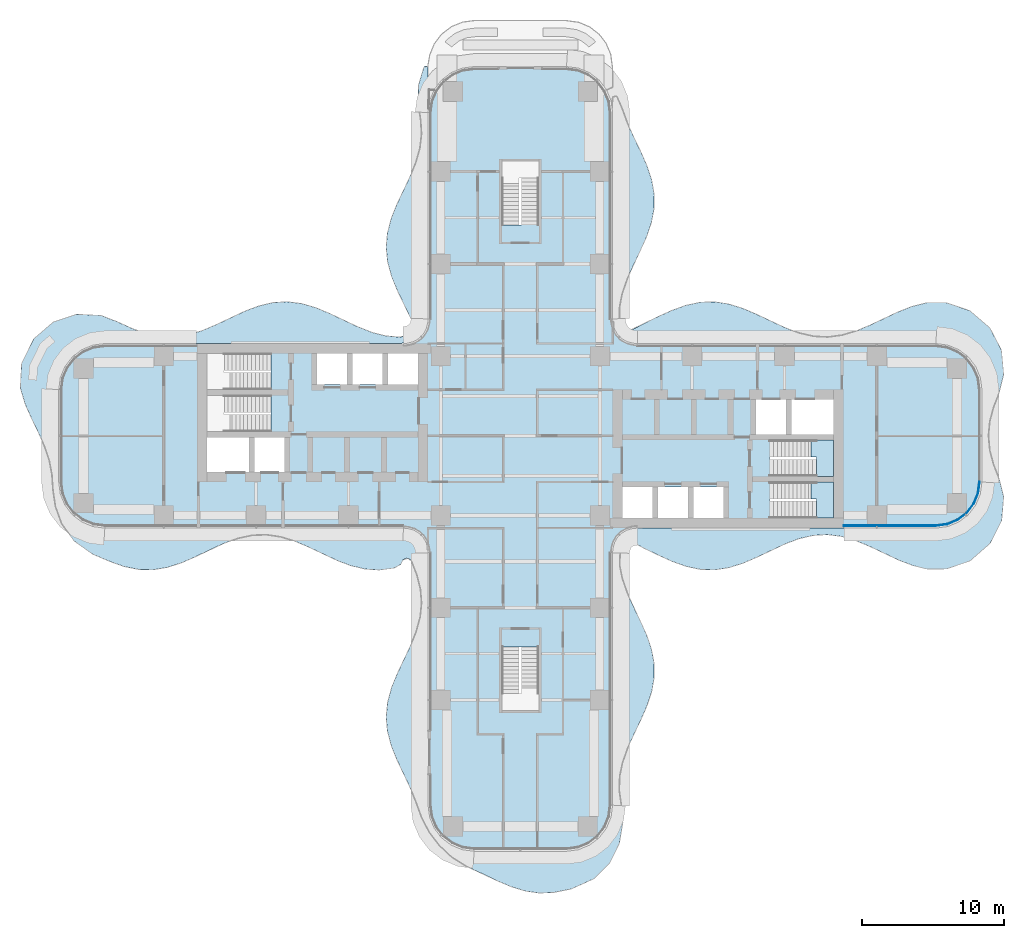
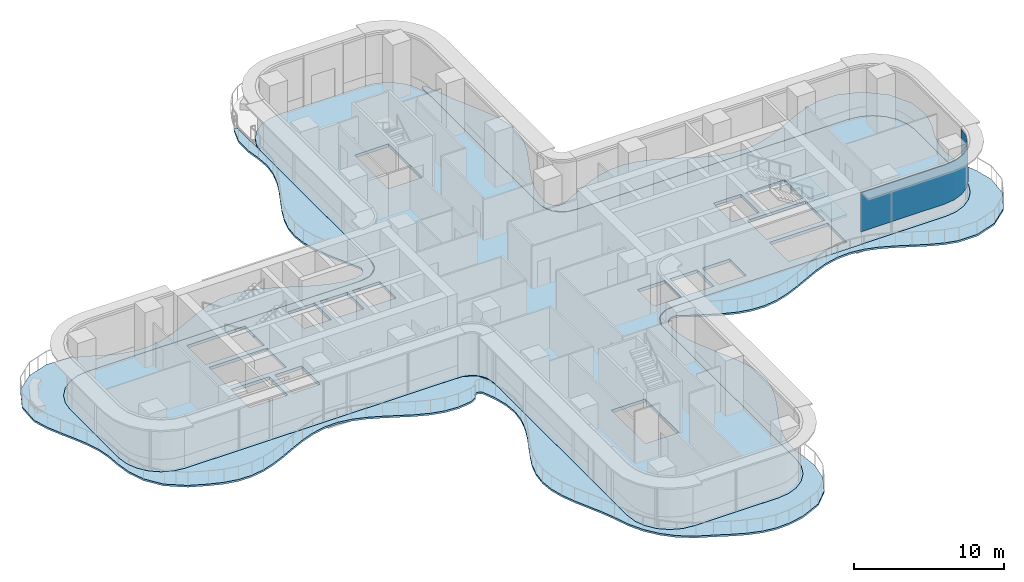
# One storey, part 15 of 22: 4 slabs, 1 plate, 3 elements without a shape of their own.
"""IFC4 building model written with IfcOpenShell, lengths in metres."""

from ifc_helpers import new_model, si_unit, direction, frame, origin, place, context, subcontext, project, spatial, polyline, outline, extrude, source, transform, mapped, material, layer, layer_set, type_object, element, aggregate, save


model = new_model("IFC4")

# Units and contexts
model_context = context("Model", 3, precision=1e-05, world=origin(), true_north=direction((0.0, 1.0)))
body_context = subcontext(model_context, "Body", "Model", "MODEL_VIEW")
ifc_project = project(units=[si_unit("LENGTHUNIT", "METRE"), si_unit("AREAUNIT", "SQUARE_METRE"), si_unit("VOLUMEUNIT", "CUBIC_METRE"), si_unit("PLANEANGLEUNIT", "RADIAN"), si_unit("MASSUNIT", "GRAM", prefix="KILO")], contexts=[model_context])

# Site, building, storey
site_placement = place(None, origin())
site = spatial("IfcSite", under=ifc_project, at=site_placement, CompositionType="ELEMENT")
building_placement = place(site_placement, origin())
building = spatial("IfcBuilding", under=site, at=building_placement, Name="Trellis Farm Tower", CompositionType="ELEMENT")
storey_placement = place(building_placement, frame((0.0, 0.0, 61.0)))
storey = spatial("IfcBuildingStorey", under=building, at=storey_placement, Name="L12", CompositionType="ELEMENT", Elevation=61.0)

# Slabs
ifc_material_1 = material(Name="Concrete C40/50", Category="concrete")
ifc_layer_1 = layer(ifc_material_1, 0.14990234375)
ifc_layer_set_1 = layer_set([ifc_layer_1], Name="Balcony slab 150")
slab_type_1 = type_object("IfcSlabType", Name="Balcony slab 150", PredefinedType="FLOOR", material=ifc_layer_set_1)
slab_1_placement = place(storey_placement, frame((0.0, 0.0, -0.14990234375)))
element("IfcSlab", 1, at=slab_1_placement, inside=storey, type_object=slab_type_1, Name="Balcony slab", PredefinedType="FLOOR", context=body_context, shape_type="SweptSolid", body=[
    extrude(outline(polyline([(-32.732177734375, -4.966796875), (-32.90234375, -3.81884765625), (-32.90380859375, -3.806884765625), (-32.976806640625, -2.736083984375), (-32.977783203125, -2.727294921875), (-33.16259765625, -1.735595703125), (-33.165283203125, -1.72509765625), (-33.49755859375, -0.74609375), (-33.5, -0.73974609375), (-33.93115234375, 0.2333984375), (-33.93212890625, 0.235595703125), (-34.413330078125, 1.23291015625), (-34.4150390625, 1.236328125), (-34.855712890625, 2.2138671875), (-34.862548828125, 2.232666015625), (-35.19775390625, 3.35498046875), (-35.203125, 3.380859375), (-35.206787109375, 3.414306640625), (-35.207763671875, 3.4404296875), (-35.111572265625, 5.072998046875), (-35.106689453125, 5.10302734375), (-35.0966796875, 5.140869140625), (-35.0859375, 5.169189453125), (-34.263671875, 6.8154296875), (-34.24755859375, 6.8408203125), (-34.2236328125, 6.871337890625), (-34.202880859375, 6.89306640625), (-32.933837890625, 7.97607421875), (-32.910400390625, 7.992431640625), (-32.8779296875, 8.0107421875), (-32.851806640625, 8.0224609375), (-31.298095703125, 8.54443359375), (-31.271484375, 8.55078125), (-31.23681640625, 8.5556640625), (-31.208740234375, 8.55712890625), (-29.5576171875, 8.482421875), (-29.510498046875, 8.472412109375), (-28.38671875, 8.039794921875), (-28.37841796875, 8.0361328125), (-27.3701171875, 7.576416015625), (-27.36474609375, 7.57421875), (-26.410400390625, 7.2255859375), (-26.400634765625, 7.222900390625), (-25.3623046875, 6.997802734375), (-25.348876953125, 6.99609375), (-24.3642578125, 6.96240234375), (-24.3505859375, 6.96337890625), (-23.3720703125, 7.109130859375), (-23.36083984375, 7.11181640625), (-22.382080078125, 7.4150390625), (-22.375, 7.417724609375), (-21.392333984375, 7.83642578125), (-21.389892578125, 7.837646484375), (-19.415283203125, 8.769287109375), (-19.404296875, 8.773681640625), (-18.4267578125, 9.143798828125), (-18.408203125, 9.149658203125), (-17.437255859375, 9.380859375), (-17.411865234375, 9.384521484375), (-16.443115234375, 9.4453125), (-16.415283203125, 9.4443359375), (-15.41455078125, 9.319580078125), (-15.390869140625, 9.314697265625), (-14.41796875, 9.029052734375), (-14.402587890625, 9.023681640625), (-13.421142578125, 8.615234375), (-13.41455078125, 8.6123046875), (-11.440673828125, 7.67822265625), (-11.435791015625, 7.676025390625), (-10.4140625, 7.279541015625), (-10.405517578125, 7.276611328125), (-9.46826171875, 7.038818359375), (-9.456298828125, 7.036865234375), (-8.512939453125, 6.956298828125), (-8.498779296875, 6.956298828125), (-8.385986328125, 6.968017578125), (-8.37255859375, 6.970703125), (-7.859619140625, 7.121337890625), (-7.84375, 7.1279296875), (-7.728759765625, 7.19287109375), (-7.7041015625, 7.21533203125), (-7.62939453125, 7.323974609375), (-7.621337890625, 7.3388671875), (-7.520751953125, 7.593505859375), (-7.5166015625, 7.608154296875), (-7.49609375, 7.7255859375), (-7.497314453125, 7.755859375), (-7.525146484375, 7.871337890625), (-7.530517578125, 7.88623046875), (-8.67578125, 10.26318359375), (-8.679931640625, 10.2724609375), (-9.07373046875, 11.251708984375), (-9.079345703125, 11.268310546875), (-9.343505859375, 12.240478515625), (-9.34814453125, 12.26513671875), (-9.447021484375, 13.265869140625), (-9.447265625, 13.293701171875), (-9.361083984375, 14.262451171875), (-9.35693359375, 14.287109375), (-9.103515625, 15.2587890625), (-9.097900390625, 15.27587890625), (-8.71142578125, 16.255126953125), (-8.70751953125, 16.264404296875), (-7.772705078125, 18.238525390625), (-7.771240234375, 18.2421875), (-7.36572265625, 19.223876953125), (-7.363037109375, 19.23193359375), (-7.06884765625, 20.264892578125), (-7.066650390625, 20.277099609375), (-6.954833984375, 21.265625), (-6.95458984375, 21.279052734375), (-7.0205078125, 22.249267578125), (-7.021240234375, 22.255615234375), (-7.188232421875, 23.3310546875), (-7.190185546875, 23.35546875), (-7.177734375, 24.65283203125), (-7.17138671875, 24.69482421875), (-6.79345703125, 25.940185546875), (-6.730224609375, 26.0234375), (-6.6279296875, 26.045166015625), (-6.536376953125, 25.99462890625), (-6.5, 25.896728515625), (-6.5, 22.754638671875), (-6.50048828125, 22.75), (-6.50048828125, 8.313720703125), (-6.50439453125, 8.282470703125), (-6.724365234375, 7.396484375), (-6.7412109375, 7.355712890625), (-6.768798828125, 7.309814453125), (-6.7958984375, 7.276123046875), (-7.408935546875, 6.71240234375), (-7.444580078125, 6.68798828125), (-7.4931640625, 6.664306640625), (-7.5341796875, 6.651123046875), (-8.409912109375, 6.50439453125), (-8.434814453125, 6.50244140625), (-23.109619140625, 6.50048828125), (-29.25, 6.50048828125), (-30.09130859375, 6.389892578125), (-30.875244140625, 6.065185546875), (-31.548583984375, 5.548583984375), (-32.065185546875, 4.875244140625), (-32.389892578125, 4.09130859375), (-32.50048828125, 3.25), (-32.50048828125, -3.25), (-32.389892578125, -4.09130859375), (-32.065185546875, -4.875244140625), (-31.548583984375, -5.548583984375), (-30.875244140625, -6.065185546875), (-30.09130859375, -6.389892578125), (-29.25, -6.50048828125), (-8.893798828125, -6.50048828125), (-7.973388671875, -6.525390625), (-7.94189453125, -6.52978515625), (-7.90234375, -6.539306640625), (-7.872314453125, -6.550048828125), (-7.106689453125, -6.919921875), (-7.0693359375, -6.94580078125), (-7.0283203125, -6.984130859375), (-7.00048828125, -7.019775390625), (-6.58544921875, -7.75439453125), (-6.572265625, -7.785888671875), (-6.559814453125, -7.827880859375), (-6.55419921875, -7.861572265625), (-6.50048828125, -8.785888671875), (-6.50048828125, -26.0), (-6.389892578125, -26.84130859375), (-6.065185546875, -27.625244140625), (-5.548583984375, -28.298583984375), (-4.875244140625, -28.815185546875), (-4.09130859375, -29.139892578125), (-3.25, -29.25048828125), (3.25, -29.25048828125), (4.09130859375, -29.139892578125), (4.875244140625, -28.815185546875), (5.548583984375, -28.298583984375), (6.065185546875, -27.625244140625), (6.389892578125, -26.84130859375), (6.50048828125, -26.0), (6.50048828125, -8.989501953125), (6.511962890625, -8.083984375), (6.514892578125, -8.057373046875), (6.521484375, -8.023193359375), (6.52880859375, -7.997314453125), (6.840087890625, -7.19580078125), (6.863525390625, -7.155517578125), (6.899658203125, -7.111083984375), (6.934326171875, -7.079833984375), (7.63720703125, -6.621826171875), (7.670166015625, -6.605712890625), (7.714111328125, -6.590576171875), (7.749755859375, -6.5830078125), (8.677490234375, -6.50048828125), (29.25, -6.50048828125), (30.09130859375, -6.389892578125), (30.875244140625, -6.065185546875), (31.548583984375, -5.548583984375), (32.065185546875, -4.875244140625), (32.389892578125, -4.09130859375), (32.50048828125, -3.25), (32.50048828125, 3.25), (32.389892578125, 4.09130859375), (32.065185546875, 4.875244140625), (31.548583984375, 5.548583984375), (30.875244140625, 6.065185546875), (30.09130859375, 6.389892578125), (29.25, 6.50048828125), (8.677490234375, 6.50048828125), (7.749755859375, 6.5830078125), (7.714111328125, 6.590576171875), (7.670166015625, 6.605712890625), (7.63720703125, 6.621826171875), (6.934326171875, 7.079833984375), (6.899658203125, 7.111083984375), (6.863525390625, 7.155517578125), (6.840087890625, 7.19580078125), (6.52880859375, 7.997314453125), (6.521484375, 8.023193359375), (6.514892578125, 8.057373046875), (6.511962890625, 8.083984375), (6.50048828125, 8.989501953125), (6.50048828125, 22.75), (6.5, 22.754638671875), (6.5, 23.859619140625), (6.557861328125, 23.977783203125), (6.686767578125, 24.0048828125), (6.787353515625, 23.919921875), (7.15380859375, 23.083984375), (7.157470703125, 23.0751953125), (7.5546875, 21.98779296875), (7.556884765625, 21.982666015625), (8.00341796875, 20.997314453125), (8.004150390625, 20.99560546875), (8.48291015625, 20.002685546875), (8.4853515625, 19.998046875), (8.921875, 19.0048828125), (8.927001953125, 18.99169921875), (9.252685546875, 18.007080078125), (9.25830078125, 17.985595703125), (9.427490234375, 17.009765625), (9.4296875, 16.982666015625), (9.42041015625, 16.012939453125), (9.417724609375, 15.986328125), (9.23291015625, 15.0166015625), (9.2275390625, 14.99609375), (8.892578125, 14.02001953125), (8.8876953125, 14.0078125), (8.451171875, 13.028564453125), (8.44921875, 13.0244140625), (7.970458984375, 12.0322265625), (7.969482421875, 12.030517578125), (7.528564453125, 11.046875), (7.52587890625, 11.04052734375), (7.171630859375, 10.013427734375), (7.1689453125, 10.00341796875), (6.988037109375, 9.07470703125), (6.98681640625, 9.061279296875), (6.976806640625, 8.216064453125), (6.97998046875, 8.193359375), (7.03369140625, 8.017578125), (7.043212890625, 7.997314453125), (7.2607421875, 7.67626953125), (7.2724609375, 7.66259765625), (7.376220703125, 7.56884765625), (7.4072265625, 7.552001953125), (7.542724609375, 7.51708984375), (7.560546875, 7.514892578125), (7.868408203125, 7.51123046875), (7.887451171875, 7.513427734375), (8.0419921875, 7.552490234375), (8.06005859375, 7.5595703125), (8.677001953125, 7.900390625), (8.684326171875, 7.904052734375), (9.670166015625, 8.37939453125), (9.673095703125, 8.380859375), (10.658447265625, 8.82958984375), (10.669677734375, 8.833984375), (11.646484375, 9.187255859375), (11.666259765625, 9.19287109375), (12.636474609375, 9.401123046875), (12.66259765625, 9.404296875), (13.631591796875, 9.439208984375), (13.6591796875, 9.437744140625), (14.6337890625, 9.29345703125), (14.656494140625, 9.2880859375), (15.6396484375, 8.982421875), (15.654296875, 8.97705078125), (16.653564453125, 8.54931640625), (16.658447265625, 8.547119140625), (18.632080078125, 7.6171875), (18.6376953125, 7.61474609375), (19.61767578125, 7.247314453125), (19.627197265625, 7.244384765625), (20.664794921875, 7.00732421875), (20.677734375, 7.005615234375), (21.6630859375, 6.958984375), (21.6767578125, 6.95947265625), (22.65576171875, 7.093017578125), (22.6669921875, 7.095458984375), (23.6455078125, 7.388916015625), (23.653076171875, 7.391357421875), (24.63525390625, 7.8037109375), (24.63818359375, 7.804931640625), (26.612548828125, 8.738525390625), (26.622802734375, 8.742919921875), (27.62158203125, 9.127685546875), (27.64013671875, 9.133544921875), (28.62109375, 9.37158203125), (28.656494140625, 9.3759765625), (29.94287109375, 9.376220703125), (29.990478515625, 9.368408203125), (31.604736328125, 8.8291015625), (31.631591796875, 8.8173828125), (31.663330078125, 8.799072265625), (31.686767578125, 8.78271484375), (33.0166015625, 7.642333984375), (33.03662109375, 7.62158203125), (33.059814453125, 7.59228515625), (33.0751953125, 7.568359375), (33.861083984375, 6.0537109375), (33.871826171875, 6.02685546875), (33.882080078125, 5.991455078125), (33.8876953125, 5.962158203125), (34.0302734375, 4.332763671875), (34.0263671875, 4.283203125), (33.708740234375, 3.02197265625), (33.702880859375, 3.00390625), (33.31591796875, 2.016845703125), (33.313232421875, 2.0087890625), (33.0517578125, 1.03125), (33.049560546875, 1.01904296875), (32.95361328125, 0.03955078125), (32.95361328125, 0.025390625), (33.049560546875, -1.018798828125), (33.0517578125, -1.031494140625), (33.313232421875, -2.0087890625), (33.31591796875, -2.016845703125), (33.702880859375, -3.00390625), (33.708740234375, -3.02197265625), (34.0263671875, -4.283203125), (34.0302734375, -4.332763671875), (33.8876953125, -5.962158203125), (33.882080078125, -5.991455078125), (33.871826171875, -6.02685546875), (33.861083984375, -6.0537109375), (33.0751953125, -7.568359375), (33.059814453125, -7.59228515625), (33.03662109375, -7.62158203125), (33.0166015625, -7.642333984375), (31.686767578125, -8.78271484375), (31.663330078125, -8.799072265625), (31.63134765625, -8.8173828125), (31.605224609375, -8.8291015625), (30.04638671875, -9.35888671875), (29.99853515625, -9.366943359375), (28.614990234375, -9.37060546875), (28.578369140625, -9.3662109375), (27.618896484375, -9.126708984375), (27.601318359375, -9.12109375), (26.6337890625, -8.74755859375), (26.623779296875, -8.743408203125), (24.63818359375, -7.80517578125), (24.63525390625, -7.8037109375), (23.61767578125, -7.37890625), (23.60986328125, -7.376220703125), (22.61328125, -7.083984375), (22.6015625, -7.08154296875), (21.6123046875, -6.956787109375), (21.5986328125, -6.956298828125), (20.61767578125, -7.013916015625), (20.60498046875, -7.015869140625), (19.626953125, -7.244384765625), (19.61767578125, -7.247314453125), (18.6376953125, -7.61474609375), (18.632080078125, -7.6171875), (16.658447265625, -8.547119140625), (16.653564453125, -8.54931640625), (15.670654296875, -8.970947265625), (15.656494140625, -8.976318359375), (14.682373046875, -9.2822265625), (14.66015625, -9.287353515625), (13.69091796875, -9.435791015625), (13.663818359375, -9.4375), (12.693115234375, -9.407958984375), (12.6669921875, -9.40478515625), (11.689208984375, -9.199462890625), (11.66943359375, -9.193603515625), (10.682861328125, -8.83935546875), (10.67138671875, -8.834716796875), (9.6767578125, -8.382568359375), (9.673583984375, -8.381103515625), (8.684326171875, -7.904052734375), (8.677001953125, -7.900390625), (8.06005859375, -7.5595703125), (8.0419921875, -7.552490234375), (7.887451171875, -7.513427734375), (7.868408203125, -7.51123046875), (7.560546875, -7.514892578125), (7.542724609375, -7.51708984375), (7.4072265625, -7.552001953125), (7.376220703125, -7.56884765625), (7.2724609375, -7.66259765625), (7.2607421875, -7.67626953125), (7.043212890625, -7.997314453125), (7.03369140625, -8.017578125), (6.97998046875, -8.193359375), (6.976806640625, -8.216064453125), (6.98681640625, -9.061279296875), (6.988037109375, -9.07470703125), (7.1689453125, -10.00341796875), (7.171630859375, -10.013427734375), (7.52587890625, -11.04052734375), (7.528564453125, -11.046875), (7.969482421875, -12.030517578125), (7.970458984375, -12.0322265625), (8.44921875, -13.0244140625), (8.451171875, -13.028564453125), (8.8876953125, -14.0078125), (8.892578125, -14.02001953125), (9.2275390625, -14.99609375), (9.23291015625, -15.0166015625), (9.417724609375, -15.986083984375), (9.42041015625, -16.01318359375), (9.427001953125, -17.013916015625), (9.4248046875, -17.041259765625), (9.251953125, -18.010498046875), (9.24658203125, -18.03173828125), (8.927001953125, -18.99169921875), (8.921875, -19.0048828125), (8.4853515625, -19.998046875), (8.48291015625, -20.002685546875), (8.004150390625, -20.99560546875), (8.00341796875, -20.997314453125), (7.5576171875, -21.981201171875), (7.55517578125, -21.987060546875), (7.191650390625, -23.01318359375), (7.18896484375, -23.023193359375), (6.99609375, -23.95458984375), (6.99462890625, -23.96728515625), (6.962890625, -24.950927734375), (6.963623046875, -24.964111328125), (7.11767578125, -26.025146484375), (7.11865234375, -26.03369140625), (7.22265625, -27.218017578125), (7.22119140625, -27.2568359375), (6.97607421875, -28.674072265625), (6.962890625, -28.714599609375), (6.320556640625, -30.0244140625), (6.29248046875, -30.063720703125), (5.22412109375, -31.145263671875), (5.203369140625, -31.162841796875), (5.17431640625, -31.18310546875), (5.150390625, -31.19677734375), (3.609375, -31.8935546875), (3.5771484375, -31.90380859375), (2.370849609375, -32.14599609375), (2.347900390625, -32.148681640625), (1.373291015625, -32.19140625), (1.34619140625, -32.190185546875), (0.40380859375, -32.059814453125), (0.381103515625, -32.0546875), (-0.619140625, -31.7529296875), (-0.63427734375, -31.74755859375), (-1.615966796875, -31.33251953125), (-1.622314453125, -31.32958984375), (-2.614990234375, -30.853759765625), (-2.6162109375, -30.853271484375), (-3.73583984375, -30.34326171875), (-3.753173828125, -30.333984375), (-4.823974609375, -29.664306640625), (-4.847412109375, -29.64599609375), (-5.711181640625, -28.8291015625), (-5.7275390625, -28.810791015625), (-6.40869140625, -27.91455078125), (-6.42236328125, -27.89306640625), (-6.950439453125, -26.877685546875), (-6.95849609375, -26.859375), (-7.353515625, -25.76318359375), (-7.354736328125, -25.760009765625), (-7.763427734375, -24.760009765625), (-7.76513671875, -24.756103515625), (-8.70751953125, -22.764404296875), (-8.71142578125, -22.755126953125), (-9.097900390625, -21.77587890625), (-9.103515625, -21.7587890625), (-9.35693359375, -20.787109375), (-9.361083984375, -20.762451171875), (-9.447265625, -19.793701171875), (-9.447021484375, -19.765869140625), (-9.34814453125, -18.76513671875), (-9.343505859375, -18.740478515625), (-9.079345703125, -17.768310546875), (-9.07373046875, -17.751708984375), (-8.6796875, -16.77197265625), (-8.67626953125, -16.763671875), (-7.740966796875, -14.78955078125), (-7.7392578125, -14.78564453125), (-7.3408203125, -13.80419921875), (-7.337890625, -13.7958984375), (-7.0546875, -12.76171875), (-7.052490234375, -12.74951171875), (-6.953857421875, -11.76171875), (-6.95361328125, -11.748046875), (-7.036865234375, -10.767578125), (-7.038818359375, -10.75537109375), (-7.289794921875, -9.77734375), (-7.29248046875, -9.768798828125), (-7.65234375, -8.8466796875), (-7.657470703125, -8.836181640625), (-7.70361328125, -8.757568359375), (-7.7236328125, -8.735107421875), (-7.85498046875, -8.638671875), (-7.89453125, -8.62451171875), (-8.05078125, -8.6162109375), (-8.091552734375, -8.6259765625), (-8.226806640625, -8.70458984375), (-8.255615234375, -8.7353515625), (-8.33154296875, -8.88720703125), (-8.33740234375, -8.903076171875), (-8.351318359375, -8.960205078125), (-8.425537109375, -9.056396484375), (-8.875, -9.2998046875), (-8.900634765625, -9.310546875), (-8.934814453125, -9.321533203125), (-8.96240234375, -9.32763671875), (-9.915283203125, -9.4443359375), (-9.943115234375, -9.4453125), (-10.911865234375, -9.384521484375), (-10.937255859375, -9.380859375), (-11.908203125, -9.149658203125), (-11.926513671875, -9.14404296875), (-12.892578125, -8.77880859375), (-12.903564453125, -8.774169921875), (-14.889892578125, -7.837646484375), (-14.892333984375, -7.83642578125), (-15.875, -7.417724609375), (-15.882080078125, -7.4150390625), (-16.86083984375, -7.11181640625), (-16.8720703125, -7.109130859375), (-17.8505859375, -6.96337890625), (-17.8642578125, -6.96240234375), (-18.84912109375, -6.99609375), (-18.862060546875, -6.997802734375), (-19.855224609375, -7.209716796875), (-19.865234375, -7.21240234375), (-20.864501953125, -7.57421875), (-20.870361328125, -7.576416015625), (-21.87353515625, -8.034423828125), (-21.875, -8.034912109375), (-22.875, -8.5166015625), (-22.88037109375, -8.51904296875), (-23.857177734375, -8.943603515625), (-23.87060546875, -8.948974609375), (-24.845458984375, -9.264892578125), (-24.8671875, -9.27001953125), (-25.83642578125, -9.4306640625), (-25.863525390625, -9.4326171875), (-26.83349609375, -9.416015625), (-26.8603515625, -9.4130859375), (-27.86083984375, -9.21337890625), (-27.88134765625, -9.207763671875), (-28.857421875, -8.864013671875), (-28.86669921875, -8.8603515625), (-30.111328125, -8.327392578125), (-30.1396484375, -8.3115234375), (-31.40771484375, -7.40283203125), (-31.441650390625, -7.369140625), (-32.27099609375, -6.228515625), (-32.290771484375, -6.19140625), (-32.724609375, -4.99609375), (-32.732177734375, -4.966796875)])), origin(), (0.0, 0.0, 1.0), 0.14990234375),
])
ifc_layer_2 = layer(ifc_material_1, 0.25)
ifc_layer_set_2 = layer_set([ifc_layer_2], Name="Composite deck floor slab 250")
slab_type_2 = type_object("IfcSlabType", Name="Composite deck floor slab 250", PredefinedType="FLOOR", material=ifc_layer_set_2)
shared_shape_1 = source(origin(), body_context, "Body", "SweptSolid", [
    extrude(outline(polyline([(-30.09130859375, -6.389404296875), (-30.875, -6.064697265625), (-31.548095703125, -5.548095703125), (-32.064697265625, -4.875), (-32.389404296875, -4.09130859375), (-32.5, -3.25), (-32.5, 3.25), (-32.389404296875, 4.09130859375), (-32.064697265625, 4.875), (-31.548095703125, 5.548095703125), (-30.875, 6.064697265625), (-30.09130859375, 6.389404296875), (-29.25, 6.5), (-8.2314453125, 6.5), (-8.01953125, 6.513916015625), (-7.91552734375, 6.527587890625), (-7.508544921875, 6.63671875), (-7.144287109375, 6.846923828125), (-6.846923828125, 7.144287109375), (-6.63671875, 7.508544921875), (-6.527587890625, 7.91552734375), (-6.513916015625, 8.01953125), (-6.5, 8.2314453125), (-6.5, 22.75), (-6.389404296875, 23.59130859375), (-6.064697265625, 24.375), (-5.548095703125, 25.048095703125), (-4.875, 25.564697265625), (-4.09130859375, 25.889404296875), (-3.25, 26.0), (3.25, 26.0), (4.09130859375, 25.889404296875), (4.875, 25.564697265625), (5.548095703125, 25.048095703125), (6.064697265625, 24.375), (6.389404296875, 23.59130859375), (6.5, 22.75), (6.5, 8.2314453125), (6.513916015625, 8.01953125), (6.527587890625, 7.91552734375), (6.63671875, 7.508544921875), (6.846923828125, 7.144287109375), (7.144287109375, 6.846923828125), (7.508544921875, 6.63671875), (7.91552734375, 6.527587890625), (8.01953125, 6.513916015625), (8.2314453125, 6.5), (29.25, 6.5), (30.09130859375, 6.389404296875), (30.875, 6.064697265625), (31.548095703125, 5.548095703125), (32.064697265625, 4.875), (32.389404296875, 4.09130859375), (32.5, 3.25), (32.5, -3.25), (32.389404296875, -4.09130859375), (32.064697265625, -4.875), (31.548095703125, -5.548095703125), (30.875, -6.064697265625), (30.09130859375, -6.389404296875), (29.25, -6.5), (8.2314453125, -6.5), (8.01953125, -6.513916015625), (7.91552734375, -6.527587890625), (7.508544921875, -6.63671875), (7.144287109375, -6.846923828125), (6.846923828125, -7.144287109375), (6.63671875, -7.508544921875), (6.527587890625, -7.91552734375), (6.513916015625, -8.01953125), (6.5, -8.2314453125), (6.5, -26.0), (6.389404296875, -26.84130859375), (6.064697265625, -27.625), (5.548095703125, -28.298095703125), (4.875, -28.814697265625), (4.09130859375, -29.139404296875), (3.25, -29.25), (-3.25, -29.25), (-4.09130859375, -29.139404296875), (-4.875, -28.814697265625), (-5.548095703125, -28.298095703125), (-6.064697265625, -27.625), (-6.389404296875, -26.84130859375), (-6.5, -26.0), (-6.5, -8.2314453125), (-6.513916015625, -8.01953125), (-6.527587890625, -7.91552734375), (-6.63671875, -7.508544921875), (-6.846923828125, -7.144287109375), (-7.144287109375, -6.846923828125), (-7.508544921875, -6.63671875), (-7.91552734375, -6.527587890625), (-8.01953125, -6.513916015625), (-8.2314453125, -6.5), (-29.25, -6.5), (-30.09130859375, -6.389404296875)]), holes=[polyline([(-22.050048828125, -0.10009765625), (-22.050048828125, -2.550048828125), (-19.10009765625, -2.550048828125), (-19.10009765625, -0.10009765625), (-22.050048828125, -0.10009765625)]), polyline([(-18.699951171875, -0.10009765625), (-18.699951171875, -2.550048828125), (-16.60009765625, -2.550048828125), (-16.60009765625, -0.10009765625), (-18.699951171875, -0.10009765625)]), polyline([(-17.56201171875, 1.64990234375), (-17.56201171875, 2.85009765625), (-22.050048828125, 2.85009765625), (-22.050048828125, 0.300048828125), (-17.56005859375, 0.300048828125), (-17.56005859375, 1.5), (-17.550048828125, 1.5), (-17.550048828125, 1.64990234375), (-17.56201171875, 1.64990234375)]), polyline([(-17.56201171875, 4.60009765625), (-17.56201171875, 5.800048828125), (-22.050048828125, 5.800048828125), (-22.050048828125, 3.25), (-17.56005859375, 3.25), (-17.56005859375, 4.449951171875), (-17.550048828125, 4.449951171875), (-17.550048828125, 4.60009765625), (-17.56201171875, 4.60009765625)]), polyline([(-14.300048828125, 5.800048828125), (-14.300048828125, 3.60009765625), (-12.199951171875, 3.60009765625), (-12.199951171875, 5.800048828125), (-14.300048828125, 5.800048828125)]), polyline([(-11.800048828125, 5.800048828125), (-11.800048828125, 3.60009765625), (-9.699951171875, 3.60009765625), (-9.699951171875, 5.800048828125), (-11.800048828125, 5.800048828125)]), polyline([(-9.300048828125, 5.800048828125), (-9.300048828125, 3.60009765625), (-7.199951171875, 3.60009765625), (-7.199951171875, 5.800048828125), (-9.300048828125, 5.800048828125)]), polyline([(0.10009765625, 14.862060546875), (1.300048828125, 14.862060546875), (1.300048828125, 19.35009765625), (-1.300048828125, 19.35009765625), (-1.300048828125, 14.860107421875), (-0.10009765625, 14.860107421875), (-0.10009765625, 14.85009765625), (0.10009765625, 14.85009765625), (0.10009765625, 14.862060546875)]), polyline([(-0.10009765625, -14.862060546875), (-1.300048828125, -14.862060546875), (-1.300048828125, -19.35009765625), (1.300048828125, -19.35009765625), (1.300048828125, -14.860107421875), (0.10009765625, -14.860107421875), (0.10009765625, -14.85009765625), (-0.10009765625, -14.85009765625), (-0.10009765625, -14.862060546875)]), polyline([(9.300048828125, -5.800048828125), (9.300048828125, -3.60009765625), (7.199951171875, -3.60009765625), (7.199951171875, -5.800048828125), (9.300048828125, -5.800048828125)]), polyline([(11.800048828125, -5.800048828125), (11.800048828125, -3.60009765625), (9.699951171875, -3.60009765625), (9.699951171875, -5.800048828125), (11.800048828125, -5.800048828125)]), polyline([(14.300048828125, -5.800048828125), (14.300048828125, -3.60009765625), (12.199951171875, -3.60009765625), (12.199951171875, -5.800048828125), (14.300048828125, -5.800048828125)]), polyline([(17.56201171875, -4.60009765625), (17.56201171875, -5.800048828125), (22.050048828125, -5.800048828125), (22.050048828125, -3.25), (17.56005859375, -3.25), (17.56005859375, -4.449951171875), (17.550048828125, -4.449951171875), (17.550048828125, -4.60009765625), (17.56201171875, -4.60009765625)]), polyline([(17.56201171875, -1.64990234375), (17.56201171875, -2.85009765625), (22.050048828125, -2.85009765625), (22.050048828125, -0.300048828125), (17.56005859375, -0.300048828125), (17.56005859375, -1.5), (17.550048828125, -1.5), (17.550048828125, -1.64990234375), (17.56201171875, -1.64990234375)]), polyline([(18.699951171875, 0.10009765625), (18.699951171875, 2.550048828125), (16.60009765625, 2.550048828125), (16.60009765625, 0.10009765625), (18.699951171875, 0.10009765625)]), polyline([(22.050048828125, 0.10009765625), (22.050048828125, 2.550048828125), (19.10009765625, 2.550048828125), (19.10009765625, 0.10009765625), (22.050048828125, 0.10009765625)])]), origin(), (0.0, 0.0, 1.0), 0.25),
])
slab_2_placement = place(storey_placement, frame((0.0, 0.0, -0.25)))
element("IfcSlab", 2, at=slab_2_placement, inside=storey, type_object=slab_type_2, Name="Floor slab", PredefinedType="FLOOR", context=body_context, shape_type="MappedRepresentation", body=[
    mapped(shared_shape_1, transform((0.0, 0.0, 0.0))),
])

# Stair, slab
ifc_material_2 = material(Name="Concrete C50/60", Category="concrete")
stair_type = type_object("IfcStairType", Name="CORE EXIT STAIR 26 RISERS 173 MM", PredefinedType="HALF_TURN_STAIR", material=ifc_material_2)
placement_1 = place(storey_placement, origin())
stair_1 = element("IfcStair", 3, at=placement_1, inside=storey, type_object=stair_type, Name="Exit stair E1", PredefinedType="HALF_TURN_STAIR")
ifc_layer_3 = layer(ifc_material_2, 0.18994140625)
ifc_layer_set_3 = layer_set([ifc_layer_3], Name="CORE STAIR LANDING 190 CONCRETE C50/60")
slab_type_3 = type_object("IfcSlabType", Name="CORE STAIR LANDING 190 CONCRETE C50/60", PredefinedType="LANDING", material=ifc_layer_set_3)
shared_shape_2 = source(origin(), body_context, "Body", "SweptSolid", [
    extrude(outline(polyline([(20.840087890625, -5.800048828125), (20.840087890625, -4.60009765625), (20.85009765625, -4.60009765625), (20.85009765625, -4.449951171875), (20.453125, -4.449951171875), (20.453125, -3.25), (20.85009765625, -3.25), (22.050048828125, -3.25), (22.050048828125, -5.800048828125), (20.85009765625, -5.800048828125), (20.840087890625, -5.800048828125)])), origin(), (0.0, 0.0, 1.0), 0.18994140625),
])
placement_2 = place(storey_placement, frame((0.0, 0.0, 2.06005859375)))
slab_3 = element("IfcSlab", 4, at=placement_2, type_object=slab_type_3, Name="STE1 landing 1", PredefinedType="LANDING", context=body_context, shape_type="MappedRepresentation", body=[
    mapped(shared_shape_2, transform((0.0, 0.0, 0.0))),
])
aggregate(stair_1, [slab_3])

stair_2 = element("IfcStair", 5, at=placement_1, inside=storey, type_object=stair_type, Name="Exit stair E2", PredefinedType="HALF_TURN_STAIR")
shared_shape_3 = source(origin(), body_context, "Body", "SweptSolid", [
    extrude(outline(polyline([(20.840087890625, -2.85009765625), (20.840087890625, -1.64990234375), (20.85009765625, -1.64990234375), (20.85009765625, -1.5), (20.453125, -1.5), (20.453125, -0.300048828125), (20.85009765625, -0.300048828125), (22.050048828125, -0.300048828125), (22.050048828125, -2.85009765625), (20.85009765625, -2.85009765625), (20.840087890625, -2.85009765625)])), origin(), (0.0, 0.0, 1.0), 0.18994140625),
])
slab_4 = element("IfcSlab", 6, at=placement_2, type_object=slab_type_3, Name="STE2 landing 1", PredefinedType="LANDING", context=body_context, shape_type="MappedRepresentation", body=[
    mapped(shared_shape_3, transform((0.0, 0.0, 0.0))),
])
aggregate(stair_2, [slab_4])

# Curtain wall, plate
ifc_material_3 = material(Name="Aluminium and glass curtain wall", Category="aluminium")
ifc_layer_4 = layer(ifc_material_3, 0.18994140625)
ifc_layer_set_4 = layer_set([ifc_layer_4], Name="RIBBON CURTAIN WALL CW1")
curtain_wall_type = type_object("IfcCurtainWallType", Name="RIBBON CURTAIN WALL CW1", PredefinedType="NOTDEFINED", material=ifc_layer_set_4)
curtain_wall = element("IfcCurtainWall", 7, at=placement_1, inside=storey, type_object=curtain_wall_type, Name="CW1 006", PredefinedType="NOTDEFINED")
ifc_material_4 = material(Name="Clear insulated glass", Category="glass")
ifc_layer_5 = layer(ifc_material_4, 0.0400390625)
ifc_layer_set_5 = layer_set([ifc_layer_5], Name="CW1 GLASS PANEL 40")
plate_type = type_object("IfcPlateType", Name="CW1 GLASS PANEL 40", PredefinedType="CURTAIN_PANEL", material=ifc_layer_set_5)
shared_shape_4 = source(origin(), body_context, "Body", "SweptSolid", [
    extrude(outline(polyline([(22.780029296875, -6.35009765625), (29.240234375, -6.35009765625), (30.052001953125, -6.2431640625), (30.79931640625, -5.93359375), (31.441162109375, -5.441162109375), (31.93359375, -4.79931640625), (32.2431640625, -4.052001953125), (32.35009765625, -3.240234375), (32.31005859375, -3.237548828125), (32.2041015625, -4.04150390625), (31.898681640625, -4.779296875), (31.41259765625, -5.41259765625), (30.779296875, -5.898681640625), (30.04150390625, -6.2041015625), (29.237548828125, -6.31005859375), (22.780029296875, -6.31005859375), (22.780029296875, -6.35009765625)])), origin(), (0.0, 0.0, 1.0), 3.170166015625),
])
plate_placement = place(storey_placement, frame((0.0, 0.0, 0.89990234375)))
plate = element("IfcPlate", 8, at=plate_placement, type_object=plate_type, Name="PL1 006", PredefinedType="CURTAIN_PANEL", context=body_context, shape_type="MappedRepresentation", body=[
    mapped(shared_shape_4, transform((0.0, 0.0, 0.0))),
])
aggregate(curtain_wall, [plate])

save(model, "model.ifc")
